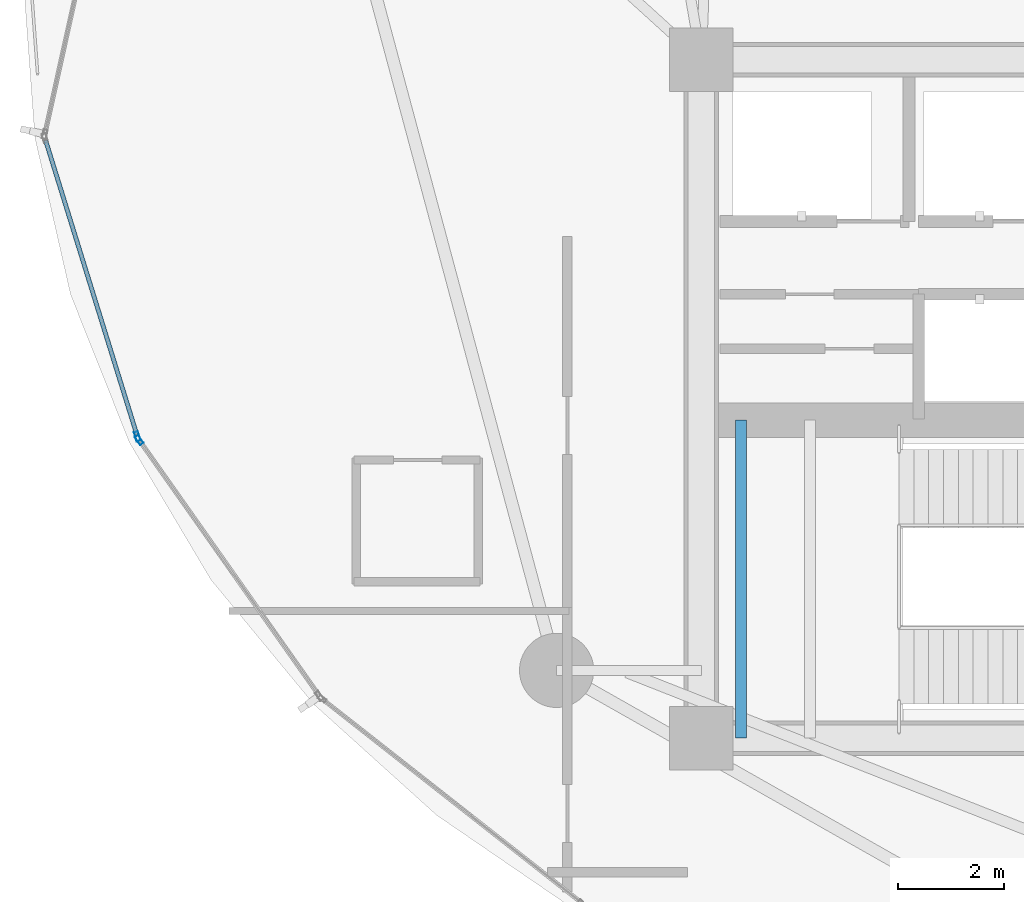
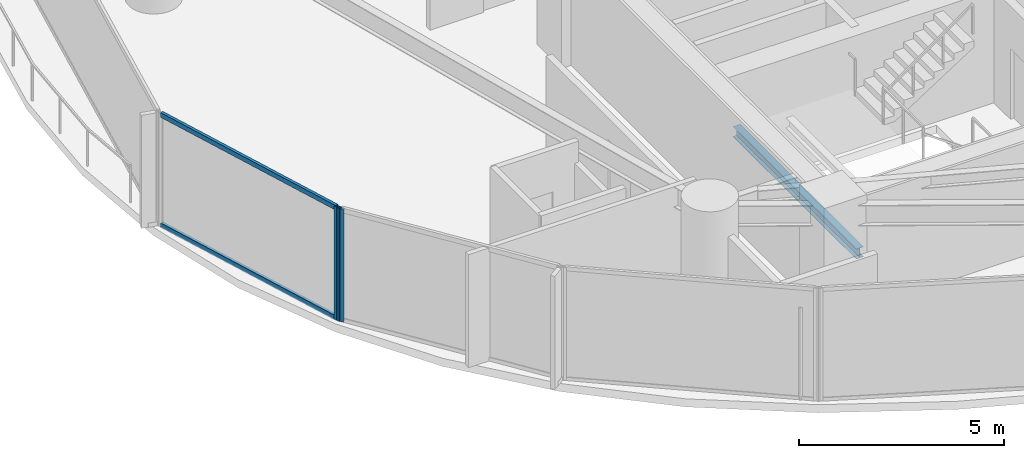
# One storey, part 7 of 32: 4 members, 1 beam, 2 elements without a shape of their own.
"""IFC4 building model written with IfcOpenShell, lengths in metres."""

from ifc_helpers import new_model, si_unit, direction, frame, origin, origin_2d, place, context, subcontext, project, spatial, hollow_rectangle, i_section, extrude, material, layer, layer_set, material_profile, profile_set, type_object, element, aggregate, save


model = new_model("IFC4")

# Units and contexts
model_context = context("Model", 3, precision=1e-05, world=origin(), true_north=direction((0.0, 1.0)))
body_context = subcontext(model_context, "Body", "Model", "MODEL_VIEW")
ifc_project = project(units=[si_unit("LENGTHUNIT", "METRE"), si_unit("AREAUNIT", "SQUARE_METRE"), si_unit("VOLUMEUNIT", "CUBIC_METRE"), si_unit("PLANEANGLEUNIT", "RADIAN"), si_unit("MASSUNIT", "GRAM", prefix="KILO")], contexts=[model_context])

# Site, building, storey
site_placement = place(None, origin())
site = spatial("IfcSite", under=ifc_project, at=site_placement, CompositionType="ELEMENT")
building_placement = place(site_placement, origin())
building = spatial("IfcBuilding", under=site, at=building_placement, Name="Kazevale Care Tower and Concert Hall", CompositionType="ELEMENT")
storey_placement = place(building_placement, frame((0.0, 0.0, 24.0)))
storey = spatial("IfcBuildingStorey", under=building, at=storey_placement, Name="L05", CompositionType="ELEMENT", Elevation=24.0)

# Curtain wall, member
ifc_material_1 = material(Name="Aluminium 6063-T6 and Low-E Glass", Category="aluminium")
ifc_layer = layer(ifc_material_1, 0.179931640625)
ifc_layer_set = layer_set([ifc_layer], Name="Aluminium 6063-T6 and Low-E Glass")
curtain_wall_type = type_object("IfcCurtainWallType", Name="Waist & Upper Residential Curtain Wall CW-4", PredefinedType="NOTDEFINED", material=ifc_layer_set)
curtain_wall_1_placement = place(storey_placement, origin())
curtain_wall_1 = element("IfcCurtainWall", 1, at=curtain_wall_1_placement, inside=storey, type_object=curtain_wall_type, Name="cw:L05:f11", PredefinedType="NOTDEFINED")
ifc_material_2 = material(Name="Aluminium 6063-T6", Category="aluminium")
ifc_material_profile_1 = material_profile(ifc_material_2, hollow_rectangle(XDim=0.080078125, YDim=0.179931640625, WallThickness=0.0048828125, at=origin_2d()), Name="ALU80x180x5")
ifc_profile_set_1 = profile_set([ifc_material_profile_1], Name="Aluminium 6063-T6")
member_type_1 = type_object("IfcMemberType", Name="CW-4 Mullion ALU80x180x5", PredefinedType="MULLION", material=ifc_profile_set_1)
member_1_placement = place(storey_placement, frame((11.39404296875, 29.225341796875, 0.0), z_axis=(0.0, 0.0, 1.0), x_axis=(-0.817564654583, -0.575836813322, 0.0)))
member_1 = element("IfcMember", 2, at=member_1_placement, type_object=member_type_1, Name="CW-4 mullion 2", PredefinedType="MULLION", context=body_context, shape_type="SweptSolid", body=[
    extrude(hollow_rectangle(XDim=0.080078125, YDim=0.179931640625, WallThickness=0.0048828125, at=origin_2d()), origin(), (0.0, 0.0, 1.0), 3.360107421875),
])
aggregate(curtain_wall_1, [member_1])

# Curtain wall, members
curtain_wall_2_placement = place(storey_placement, origin())
curtain_wall_2 = element("IfcCurtainWall", 3, at=curtain_wall_2_placement, inside=storey, type_object=curtain_wall_type, Name="cw:L05:f12", PredefinedType="NOTDEFINED")
member_2_placement = place(storey_placement, frame((11.359130859375, 29.296142578125, 0.0), z_axis=(0.0, 0.0, 1.0), x_axis=(-0.955157326175, -0.296098771112, 0.0)))
member_2 = element("IfcMember", 4, at=member_2_placement, type_object=member_type_1, Name="CW-4 mullion 1", PredefinedType="MULLION", context=body_context, shape_type="SweptSolid", body=[
    extrude(hollow_rectangle(XDim=0.080078125, YDim=0.179931640625, WallThickness=0.0048828125, at=origin_2d()), origin(), (0.0, 0.0, 1.0), 3.360107421875),
])
ifc_material_profile_2 = material_profile(ifc_material_2, hollow_rectangle(XDim=0.080078125, YDim=0.139892578125, WallThickness=0.00390625, at=origin_2d()), Name="ALU80x140x4")
ifc_profile_set_2 = profile_set([ifc_material_profile_2], Name="Aluminium 6063-T6")
member_type_2 = type_object("IfcMemberType", Name="CW-4 Transom ALU80x140x4", PredefinedType="USERDEFINED", material=ifc_profile_set_2)
member_3_placement = place(storey_placement, frame((11.347412109375, 29.33447265625, 0.0400390625), z_axis=(-0.296117563823, 0.955151500232, 0.0), x_axis=(-0.955151500232, -0.296117563823, 0.0)))
member_3 = element("IfcMember", 5, at=member_3_placement, type_object=member_type_2, Name="CW-4 transom 1.1", ObjectType="TRANSOM", PredefinedType="USERDEFINED", context=body_context, shape_type="SweptSolid", body=[
    extrude(hollow_rectangle(XDim=0.080078125, YDim=0.139892578125, WallThickness=0.00390625, at=origin_2d()), origin(), (0.0, 0.0, 1.0), 5.8076171875),
])
member_4_placement = place(storey_placement, frame((11.347412109375, 29.33447265625, 3.320068359375), z_axis=(-0.296117563823, 0.955151500232, 0.0), x_axis=(-0.955151500232, -0.296117563823, 0.0)))
member_4 = element("IfcMember", 6, at=member_4_placement, type_object=member_type_2, Name="CW-4 transom 1.2", ObjectType="TRANSOM", PredefinedType="USERDEFINED", context=body_context, shape_type="SweptSolid", body=[
    extrude(hollow_rectangle(XDim=0.080078125, YDim=0.139892578125, WallThickness=0.00390625, at=origin_2d()), origin(), (0.0, 0.0, 1.0), 5.8076171875),
])
aggregate(curtain_wall_2, [member_2, member_3, member_4])

# Beam
ifc_material_3 = material(Name="Steel ASTM A572 Gr 50", Category="steel")
ifc_material_profile_3 = material_profile(ifc_material_3, i_section(OverallWidth=0.202880859375, OverallDepth=0.302978515625, WebThickness=0.007568359375, FlangeThickness=0.01318359375, at=origin_2d()), Name="W310x60")
ifc_profile_set_3 = profile_set([ifc_material_profile_3], Name="Steel ASTM A572 Gr 50")
beam_type = type_object("IfcBeamType", Name="Stair & Balcony Trimmer W310x60", PredefinedType="BEAM", material=ifc_profile_set_3)
beam_placement = place(storey_placement, frame((22.75, 23.60009765625, 1.448486328125), z_axis=(0.0, 1.0, 0.0), x_axis=(-1.0, 0.0, 0.0)))
element("IfcBeam", 7, at=beam_placement, inside=storey, type_object=beam_type, Name="beam:L05:sttrim:ST1", PredefinedType="BEAM", context=body_context, shape_type="SweptSolid", body=[
    extrude(i_section(OverallWidth=0.202880859375, OverallDepth=0.302978515625, WebThickness=0.007568359375, FlangeThickness=0.01318359375, at=origin_2d()), origin(), (0.0, 0.0, 1.0), 6.0),
])

save(model, "model.ifc")
